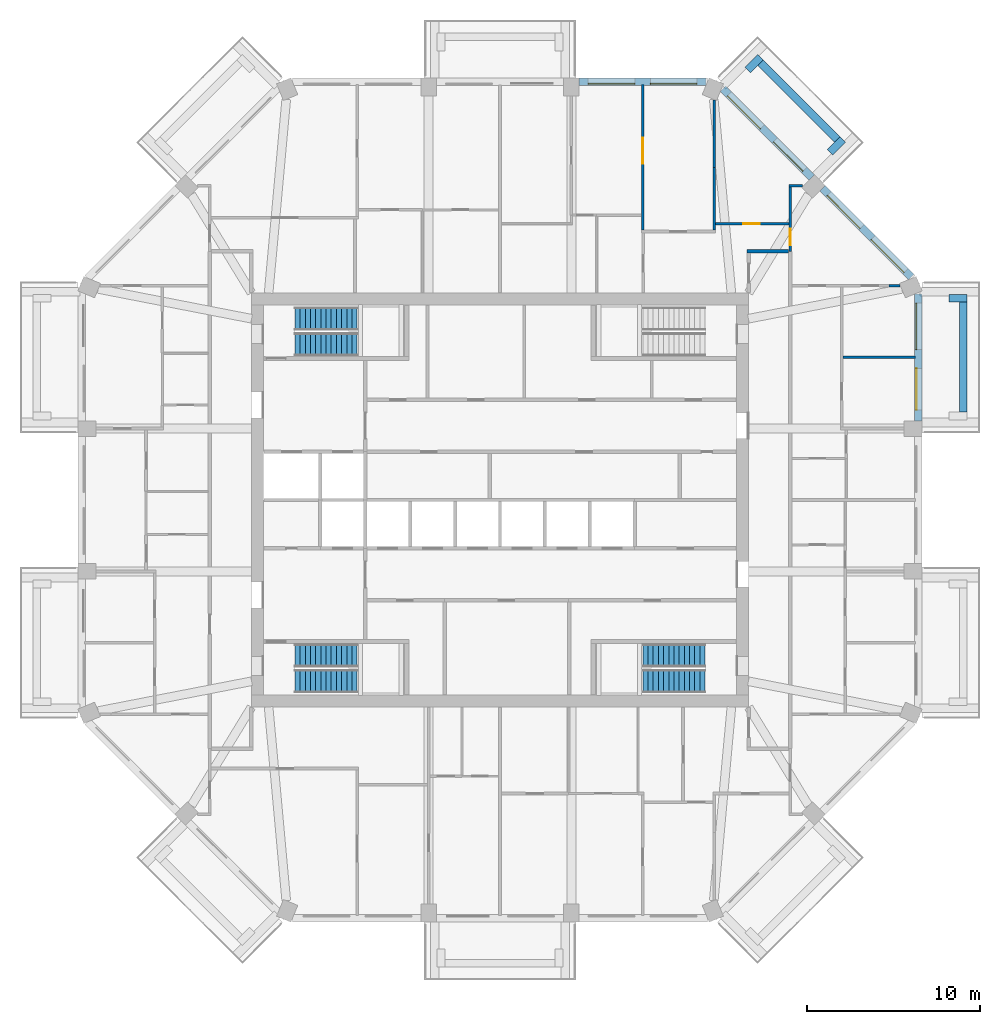
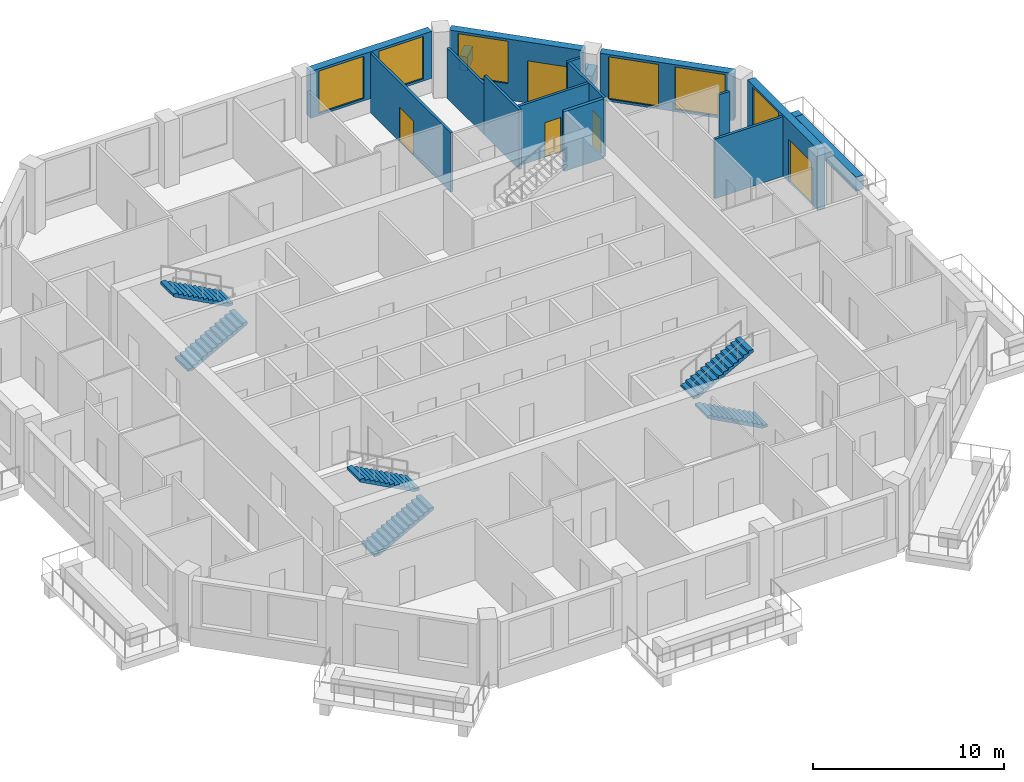
# One storey, part 9 of 12: 18 walls, 6 stair flights, 6 windows, 5 doors, 11 openings, 3 elements without a shape of their own.
"""IFC4 building model written with IfcOpenShell, lengths in metres."""

from ifc_helpers import new_model, si_unit, direction, frame, frame_2d, origin, place, context, subcontext, project, spatial, polyline, rectangle, outline, extrude, material, layer, layer_set, type_object, element, fill, aggregate, save


model = new_model("IFC4")

# Units and contexts
model_context = context("Model", 3, precision=1e-05, world=origin(), true_north=direction((0.0, 1.0)))
body_context = subcontext(model_context, "Body", "Model", "MODEL_VIEW")
ifc_project = project(units=[si_unit("LENGTHUNIT", "METRE"), si_unit("AREAUNIT", "SQUARE_METRE"), si_unit("VOLUMEUNIT", "CUBIC_METRE"), si_unit("PLANEANGLEUNIT", "RADIAN"), si_unit("MASSUNIT", "GRAM", prefix="KILO")], contexts=[model_context])

# Site, building, storey
site_placement = place(None, origin())
site = spatial("IfcSite", under=ifc_project, at=site_placement, CompositionType="ELEMENT")
building_placement = place(site_placement, origin())
building = spatial("IfcBuilding", under=site, at=building_placement, Name="Msitu Wima Residences", CompositionType="ELEMENT")
storey_placement = place(building_placement, frame((0.0, 0.0, 200.10009765625)))
storey = spatial("IfcBuildingStorey", under=building, at=storey_placement, Name="L46", CompositionType="ELEMENT", Elevation=200.10009765625)

# Walls
ifc_material_1 = material(Name="Facing brick")
ifc_layer_1 = layer(ifc_material_1, 0.06494140625, Name="Facing brick")
ifc_material_2 = material(Name="Concrete C40/50", Category="concrete")
ifc_layer_2 = layer(ifc_material_2, 0.156005859375, Name="Concrete C40/50")
ifc_material_3 = material(Name="Waterproofing membrane")
ifc_layer_3 = layer(ifc_material_3, 0.00390625, Name="Waterproofing membrane")
ifc_material_4 = material(Name="Planting soil and planting")
ifc_layer_4 = layer(ifc_material_4, 0.22509765625, Name="Planting soil and planting")
ifc_layer_set_1 = layer_set([ifc_layer_1, ifc_layer_2, ifc_layer_3, ifc_layer_4], Name="Concrete C40/50")
wall_type_1 = type_object("IfcWallType", Name="Balcony planter PLANTER PL450", PredefinedType="USERDEFINED", material=ifc_layer_set_1)
wall_1_placement = place(storey_placement, frame((26.824951171875, 5.087158203125, 0.0), z_axis=(0.0, 0.0, 1.0), x_axis=(0.0, 1.0, 0.0)))
element("IfcWall", 1, at=wall_1_placement, inside=storey, type_object=wall_type_1, Name="Balcony planter E2 L46", ObjectType="PLANTER", PredefinedType="USERDEFINED", context=body_context, shape_type="SweptSolid", body=[
    extrude(rectangle(XDim=6.37451171875, YDim=0.449951171875, at=frame_2d((3.187255859375, 0.0))), origin(), (0.0, 0.0, 1.0), 0.89990234375),
])
wall_2_placement = place(storey_placement, frame((26.0, 11.686767578125, 0.0), z_axis=(0.0, 0.0, 1.0), x_axis=(1.0, 0.0, 0.0)))
element("IfcWall", 2, at=wall_2_placement, inside=storey, type_object=wall_type_1, Name="Balcony planter E2 L46", ObjectType="PLANTER", PredefinedType="USERDEFINED", context=body_context, shape_type="SweptSolid", body=[
    extrude(rectangle(XDim=1.050048828125, YDim=0.449951171875, at=frame_2d((0.52490234375, 0.0))), origin(), (0.0, 0.0, 1.0), 0.89990234375),
])
wall_3_placement = place(storey_placement, frame((19.53173828125, 20.875244140625, 0.0), z_axis=(0.0, 0.0, 1.0), x_axis=(-0.707106781187, 0.707106781187, 0.0)))
element("IfcWall", 3, at=wall_3_placement, inside=storey, type_object=wall_type_1, Name="Balcony planter NE1 L46", ObjectType="PLANTER", PredefinedType="USERDEFINED", context=body_context, shape_type="SweptSolid", body=[
    extrude(rectangle(XDim=6.294189453125, YDim=0.449951171875, at=frame_2d((3.14697265625, 0.0))), origin(), (0.0, 0.0, 1.0), 0.89990234375),
])
for number, where, z_axis, x_axis, name in (
    (4, (19.107421875, 20.1328125, 0.0), (0.0, 0.0, 1.0), (0.707106781187, 0.707106781187, 0.0), "Balcony planter NE1 L46"),
    (5, (14.338623046875, 24.901611328125, 0.0), (0.0, 0.0, 1.0), (0.707106781187, 0.707106781187, 0.0), "Balcony planter NE1 L46"),
):
    element("IfcWall", number, at=place(storey_placement, frame(where, z_axis=z_axis, x_axis=x_axis)), inside=storey, type_object=wall_type_1, Name=name, ObjectType="PLANTER", PredefinedType="USERDEFINED", context=body_context, shape_type="SweptSolid", body=[
        extrude(rectangle(XDim=1.050048828125, YDim=0.449951171875, at=frame_2d((0.52490234375, 0.0))), origin(), (0.0, 0.0, 1.0), 0.89990234375),
    ])

# Wall, openings, door, window
ifc_material_5 = material(Name="Brick (red buff mix)", Category="masonry")
ifc_layer_5 = layer(ifc_material_5, 0.449951171875)
ifc_layer_set_2 = layer_set([ifc_layer_5], Name="Brick (red buff mix)")
wall_type_2 = type_object("IfcWallType", Name="Brick infill wall BW450", PredefinedType="SOLIDWALL", material=ifc_layer_set_2)
wall_4_placement = place(storey_placement, frame((24.22509765625, 4.587158203125, 0.0), z_axis=(0.0, 0.0, 1.0), x_axis=(0.0, 1.0, 0.0)))
wall_4 = element("IfcWall", 6, at=wall_4_placement, inside=storey, type_object=wall_type_2, Name="Brick infill wall L46 E2", PredefinedType="SOLIDWALL", context=body_context, shape_type="SweptSolid", body=[
    extrude(rectangle(XDim=7.337646484375, YDim=0.449951171875, at=frame_2d((3.6689453125, 0.0))), origin(), (0.0, 0.0, 1.0), 3.89990234375),
])
opening_1_placement = place(wall_4_placement, frame((0.63427734375, 0.0, 0.0)))
opening_1 = element("IfcOpeningElement", 7, at=opening_1_placement, cuts=wall_4, Name="Opening D46.002", PredefinedType="OPENING", context=body_context, shape_type="SweptSolid", body=[
    extrude(rectangle(XDim=2.39990234375, YDim=2.699951171875, at=frame_2d((1.199951171875, 1.35009765625))), frame((0.0, 0.23486328125, 0.0), z_axis=(0.0, -1.0, 0.0), x_axis=(1.0, 0.0, 0.0)), (0.0, 0.0, 1.0), 0.469970703125),
])
opening_2_placement = place(wall_4_placement, frame((4.11865234375, 0.0, 1.050048828125)))
opening_2 = element("IfcOpeningElement", 8, at=opening_2_placement, cuts=wall_4, Name="Opening W46.004", PredefinedType="OPENING", context=body_context, shape_type="SweptSolid", body=[
    extrude(rectangle(XDim=2.699951171875, YDim=2.699951171875, at=frame_2d((1.35009765625, 1.35009765625))), frame((0.0, 0.23486328125, 0.0), z_axis=(0.0, -1.0, 0.0), x_axis=(1.0, 0.0, 0.0)), (0.0, 0.0, 1.0), 0.469970703125),
])
ifc_material_6 = material(Name="Anodised aluminium, bronze finish, clear low-emissivity double glazing", Category="aluminium")
door_type_1 = type_object("IfcDoorType", Name="Balcony door D2400x2700", OperationType="SLIDING_TO_LEFT", PredefinedType="DOOR", material=ifc_material_6)
door_1_placement = place(opening_1_placement, origin())
door_1 = element("IfcDoor", 9, at=door_1_placement, inside=storey, type_object=door_type_1, Name="Balcony door L46 E2", OperationType="SINGLE_SWING_LEFT", OverallHeight=2.699951171875, OverallWidth=2.39990234375, PredefinedType="DOOR", context=body_context, shape_type="SweptSolid", body=[
    extrude(rectangle(XDim=2.39990234375, YDim=2.699951171875, at=frame_2d((1.199951171875, 1.35009765625))), frame((0.0, 0.1298828125, 0.0), z_axis=(0.0, -1.0, 0.0), x_axis=(1.0, 0.0, 0.0)), (0.0, 0.0, 1.0), 0.050048828125),
])
fill(opening_1, door_1)
window_type = type_object("IfcWindowType", Name="Window W2700x2700", PartitioningType="DOUBLE_PANEL_VERTICAL", PredefinedType="WINDOW", material=ifc_material_6)
window_1_placement = place(opening_2_placement, origin())
window_1 = element("IfcWindow", 10, at=window_1_placement, inside=storey, type_object=window_type, Name="Window L46 E2.2", OverallHeight=2.699951171875, OverallWidth=2.699951171875, PartitioningType="SINGLE_PANEL", PredefinedType="WINDOW", context=body_context, shape_type="SweptSolid", body=[
    extrude(rectangle(XDim=2.699951171875, YDim=2.699951171875, at=frame_2d((1.35009765625, 1.35009765625))), frame((0.0, 0.135009765625, 0.0), z_axis=(0.0, -1.0, 0.0), x_axis=(1.0, 0.0, 0.0)), (0.0, 0.0, 1.0), 0.06005859375),
])
fill(opening_2, window_1)

# Wall, openings, windows
wall_5_placement = place(storey_placement, frame((23.814697265625, 12.915283203125, 0.89990234375), z_axis=(0.0, 0.0, 1.0), x_axis=(-0.707106781187, 0.707106781187, 0.0)))
wall_5 = element("IfcWall", 11, at=wall_5_placement, inside=storey, type_object=wall_type_2, Name="Brick infill wall L46 NE0", PredefinedType="SOLIDWALL", context=body_context, shape_type="SweptSolid", body=[
    extrude(rectangle(XDim=7.257080078125, YDim=0.449951171875, at=frame_2d((3.62841796875, 0.0))), origin(), (0.0, 0.0, 1.0), 3.0),
])
opening_3_placement = place(wall_5_placement, frame((0.478515625, 0.0, 0.14990234375)))
opening_3 = element("IfcOpeningElement", 12, at=opening_3_placement, cuts=wall_5, Name="Opening W46.010", PredefinedType="OPENING", context=body_context, shape_type="SweptSolid", body=[
    extrude(rectangle(XDim=2.699951171875, YDim=2.699951171875, at=frame_2d((1.35009765625, 1.35009765625))), frame((0.0, 0.23486328125, 0.0), z_axis=(0.0, -1.0, 0.0), x_axis=(1.0, 0.0, 0.0)), (0.0, 0.0, 1.0), 0.469970703125),
])
opening_4_placement = place(wall_5_placement, frame((4.07861328125, 0.0, 0.14990234375)))
opening_4 = element("IfcOpeningElement", 13, at=opening_4_placement, cuts=wall_5, Name="Opening W46.011", PredefinedType="OPENING", context=body_context, shape_type="SweptSolid", body=[
    extrude(rectangle(XDim=2.699951171875, YDim=2.699951171875, at=frame_2d((1.35009765625, 1.35009765625))), frame((0.0, 0.23486328125, 0.0), z_axis=(0.0, -1.0, 0.0), x_axis=(1.0, 0.0, 0.0)), (0.0, 0.0, 1.0), 0.469970703125),
])
window_2_placement = place(opening_3_placement, origin())
window_2 = element("IfcWindow", 14, at=window_2_placement, inside=storey, type_object=window_type, Name="Window L46 NE0.1", OverallHeight=2.699951171875, OverallWidth=2.699951171875, PartitioningType="SINGLE_PANEL", PredefinedType="WINDOW", context=body_context, shape_type="SweptSolid", body=[
    extrude(rectangle(XDim=2.699951171875, YDim=2.699951171875, at=frame_2d((1.35009765625, 1.35009765625))), frame((0.0, 0.135009765625, 0.0), z_axis=(0.0, -1.0, 0.0), x_axis=(1.0, 0.0, 0.0)), (0.0, 0.0, 1.0), 0.06005859375),
])
fill(opening_3, window_2)
window_3_placement = place(opening_4_placement, origin())
window_3 = element("IfcWindow", 15, at=window_3_placement, inside=storey, type_object=window_type, Name="Window L46 NE0.2", OverallHeight=2.699951171875, OverallWidth=2.699951171875, PartitioningType="SINGLE_PANEL", PredefinedType="WINDOW", context=body_context, shape_type="SweptSolid", body=[
    extrude(rectangle(XDim=2.699951171875, YDim=2.699951171875, at=frame_2d((1.35009765625, 1.35009765625))), frame((0.0, 0.135009765625, 0.0), z_axis=(0.0, -1.0, 0.0), x_axis=(1.0, 0.0, 0.0)), (0.0, 0.0, 1.0), 0.06005859375),
])
fill(opening_4, window_3)

# Wall, openings, door, window
wall_6_placement = place(storey_placement, frame((18.046875, 18.68310546875, 0.0), z_axis=(0.0, 0.0, 1.0), x_axis=(-0.707106781187, 0.707106781187, 0.0)))
wall_6 = element("IfcWall", 16, at=wall_6_placement, inside=storey, type_object=wall_type_2, Name="Brick infill wall L46 NE1", PredefinedType="SOLIDWALL", context=body_context, shape_type="SweptSolid", body=[
    extrude(rectangle(XDim=7.257080078125, YDim=0.449951171875, at=frame_2d((3.62841796875, 0.0))), origin(), (0.0, 0.0, 1.0), 3.89990234375),
])
opening_5_placement = place(wall_6_placement, frame((0.6142578125, 0.0, 0.0)))
opening_5 = element("IfcOpeningElement", 17, at=opening_5_placement, cuts=wall_6, Name="Opening D46.004", PredefinedType="OPENING", context=body_context, shape_type="SweptSolid", body=[
    extrude(rectangle(XDim=2.39990234375, YDim=2.699951171875, at=frame_2d((1.199951171875, 1.35009765625))), frame((0.0, 0.23486328125, 0.0), z_axis=(0.0, -1.0, 0.0), x_axis=(1.0, 0.0, 0.0)), (0.0, 0.0, 1.0), 0.469970703125),
])
opening_6_placement = place(wall_6_placement, frame((4.07861328125, 0.0, 1.050048828125)))
opening_6 = element("IfcOpeningElement", 18, at=opening_6_placement, cuts=wall_6, Name="Opening W46.012", PredefinedType="OPENING", context=body_context, shape_type="SweptSolid", body=[
    extrude(rectangle(XDim=2.699951171875, YDim=2.699951171875, at=frame_2d((1.35009765625, 1.35009765625))), frame((0.0, 0.23486328125, 0.0), z_axis=(0.0, -1.0, 0.0), x_axis=(1.0, 0.0, 0.0)), (0.0, 0.0, 1.0), 0.469970703125),
])
door_2_placement = place(opening_5_placement, origin())
door_2 = element("IfcDoor", 19, at=door_2_placement, inside=storey, type_object=door_type_1, Name="Balcony door L46 NE1", OperationType="SINGLE_SWING_LEFT", OverallHeight=2.699951171875, OverallWidth=2.39990234375, PredefinedType="DOOR", context=body_context, shape_type="SweptSolid", body=[
    extrude(rectangle(XDim=2.39990234375, YDim=2.699951171875, at=frame_2d((1.199951171875, 1.35009765625))), frame((0.0, 0.1298828125, 0.0), z_axis=(0.0, -1.0, 0.0), x_axis=(1.0, 0.0, 0.0)), (0.0, 0.0, 1.0), 0.050048828125),
])
fill(opening_5, door_2)
window_4_placement = place(opening_6_placement, origin())
window_4 = element("IfcWindow", 20, at=window_4_placement, inside=storey, type_object=window_type, Name="Window L46 NE1.2", OverallHeight=2.699951171875, OverallWidth=2.699951171875, PartitioningType="SINGLE_PANEL", PredefinedType="WINDOW", context=body_context, shape_type="SweptSolid", body=[
    extrude(rectangle(XDim=2.699951171875, YDim=2.699951171875, at=frame_2d((1.35009765625, 1.35009765625))), frame((0.0, 0.135009765625, 0.0), z_axis=(0.0, -1.0, 0.0), x_axis=(1.0, 0.0, 0.0)), (0.0, 0.0, 1.0), 0.06005859375),
])
fill(opening_6, window_4)

# Wall, openings, windows
wall_7_placement = place(storey_placement, frame((11.9248046875, 24.22509765625, 0.89990234375), z_axis=(0.0, 0.0, 1.0), x_axis=(-1.0, 0.0, 0.0)))
wall_7 = element("IfcWall", 21, at=wall_7_placement, inside=storey, type_object=wall_type_2, Name="Brick infill wall L46 N0", PredefinedType="SOLIDWALL", context=body_context, shape_type="SweptSolid", body=[
    extrude(rectangle(XDim=7.337646484375, YDim=0.449951171875, at=frame_2d((3.6689453125, 0.0))), origin(), (0.0, 0.0, 1.0), 3.0),
])
opening_7_placement = place(wall_7_placement, frame((0.518798828125, 0.0, 0.14990234375)))
opening_7 = element("IfcOpeningElement", 22, at=opening_7_placement, cuts=wall_7, Name="Opening W46.005", PredefinedType="OPENING", context=body_context, shape_type="SweptSolid", body=[
    extrude(rectangle(XDim=2.699951171875, YDim=2.699951171875, at=frame_2d((1.35009765625, 1.35009765625))), frame((0.0, 0.23486328125, 0.0), z_axis=(0.0, -1.0, 0.0), x_axis=(1.0, 0.0, 0.0)), (0.0, 0.0, 1.0), 0.469970703125),
])
opening_8_placement = place(wall_7_placement, frame((4.11865234375, 0.0, 0.14990234375)))
opening_8 = element("IfcOpeningElement", 23, at=opening_8_placement, cuts=wall_7, Name="Opening W46.006", PredefinedType="OPENING", context=body_context, shape_type="SweptSolid", body=[
    extrude(rectangle(XDim=2.699951171875, YDim=2.699951171875, at=frame_2d((1.35009765625, 1.35009765625))), frame((0.0, 0.23486328125, 0.0), z_axis=(0.0, -1.0, 0.0), x_axis=(1.0, 0.0, 0.0)), (0.0, 0.0, 1.0), 0.469970703125),
])
window_5_placement = place(opening_7_placement, origin())
window_5 = element("IfcWindow", 24, at=window_5_placement, inside=storey, type_object=window_type, Name="Window L46 N0.1", OverallHeight=2.699951171875, OverallWidth=2.699951171875, PartitioningType="SINGLE_PANEL", PredefinedType="WINDOW", context=body_context, shape_type="SweptSolid", body=[
    extrude(rectangle(XDim=2.699951171875, YDim=2.699951171875, at=frame_2d((1.35009765625, 1.35009765625))), frame((0.0, 0.135009765625, 0.0), z_axis=(0.0, -1.0, 0.0), x_axis=(1.0, 0.0, 0.0)), (0.0, 0.0, 1.0), 0.06005859375),
])
fill(opening_7, window_5)
window_6_placement = place(opening_8_placement, origin())
window_6 = element("IfcWindow", 25, at=window_6_placement, inside=storey, type_object=window_type, Name="Window L46 N0.2", OverallHeight=2.699951171875, OverallWidth=2.699951171875, PartitioningType="SINGLE_PANEL", PredefinedType="WINDOW", context=body_context, shape_type="SweptSolid", body=[
    extrude(rectangle(XDim=2.699951171875, YDim=2.699951171875, at=frame_2d((1.35009765625, 1.35009765625))), frame((0.0, 0.135009765625, 0.0), z_axis=(0.0, -1.0, 0.0), x_axis=(1.0, 0.0, 0.0)), (0.0, 0.0, 1.0), 0.06005859375),
])
fill(opening_8, window_6)

# Wall
ifc_material_7 = material(Name="Plaster")
ifc_layer_6 = layer(ifc_material_7, 0.011962890625, Name="Plaster")
ifc_material_8 = material(Name="Concrete blockwork", Category="masonry")
ifc_layer_7 = layer(ifc_material_8, 0.176025390625, Name="Concrete blockwork")
ifc_layer_8 = layer(ifc_material_7, 0.011962890625, Name="Plaster")
ifc_layer_set_3 = layer_set([ifc_layer_6, ifc_layer_7, ifc_layer_8], Name="Concrete blockwork")
wall_type_3 = type_object("IfcWallType", Name="Corridor wall FW200", PredefinedType="PARTITIONING", material=ifc_layer_set_3)
wall_8_placement = place(storey_placement, frame((14.300048828125, 14.39990234375, 0.0), z_axis=(0.0, 0.0, 1.0), x_axis=(1.0, 0.0, 0.0)))
element("IfcWall", 26, at=wall_8_placement, inside=storey, type_object=wall_type_3, Name="Corridor wall", PredefinedType="PARTITIONING", context=body_context, shape_type="SweptSolid", body=[
    extrude(rectangle(XDim=2.39990234375, YDim=0.199951171875, at=frame_2d((1.199951171875, 0.0))), origin(), (0.0, 0.0, 1.0), 3.7978515625),
])

# Wall, opening, door
ifc_layer_9 = layer(ifc_material_7, 0.011962890625, Name="Plaster")
ifc_layer_10 = layer(ifc_material_8, 0.1259765625, Name="Concrete blockwork")
ifc_layer_11 = layer(ifc_material_7, 0.011962890625, Name="Plaster")
ifc_layer_set_4 = layer_set([ifc_layer_9, ifc_layer_10, ifc_layer_11], Name="Concrete blockwork")
wall_type_4 = type_object("IfcWallType", Name="Partition PW150", PredefinedType="PARTITIONING", material=ifc_layer_set_4)
wall_9_placement = place(storey_placement, frame((8.2744140625, 15.625, 0.0), z_axis=(0.0, 0.0, 1.0), x_axis=(0.0, 1.0, 0.0)))
wall_9 = element("IfcWall", 27, at=wall_9_placement, inside=storey, type_object=wall_type_4, Name="Partition", PredefinedType="PARTITIONING", context=body_context, shape_type="SweptSolid", body=[
    extrude(rectangle(XDim=8.429931640625, YDim=0.14990234375, at=frame_2d((4.21484375, 0.0))), origin(), (0.0, 0.0, 1.0), 3.7978515625),
])
opening_9_placement = place(wall_9_placement, frame((3.85009765625, 0.0, 0.0)))
opening_9 = element("IfcOpeningElement", 28, at=opening_9_placement, cuts=wall_9, Name="Opening D46.019", PredefinedType="OPENING", context=body_context, shape_type="SweptSolid", body=[
    extrude(rectangle(XDim=1.5, YDim=2.199951171875, at=frame_2d((0.75, 1.10009765625))), frame((0.0, 0.0849609375, 0.0), z_axis=(0.0, -1.0, 0.0), x_axis=(1.0, 0.0, 0.0)), (0.0, 0.0, 1.0), 0.169921875),
])
ifc_material_9 = material(Name="Timber double door", Category="wood")
door_type_2 = type_object("IfcDoorType", Name="Double door D04 1500x2200", OperationType="DOUBLE_DOOR_SINGLE_SWING", PredefinedType="DOOR", material=ifc_material_9)
door_3_placement = place(opening_9_placement, origin())
door_3 = element("IfcDoor", 29, at=door_3_placement, inside=storey, type_object=door_type_2, Name="Double door", OperationType="DOUBLE_DOOR_SINGLE_SWING", OverallHeight=2.199951171875, OverallWidth=1.5, PredefinedType="DOOR", context=body_context, shape_type="SweptSolid", body=[
    extrude(rectangle(XDim=1.5, YDim=2.199951171875, at=frame_2d((0.75, 1.10009765625))), frame((0.0, 0.02490234375, 0.0), z_axis=(0.0, -1.0, 0.0), x_axis=(1.0, 0.0, 0.0)), (0.0, 0.0, 1.0), 0.050048828125),
])
fill(opening_9, door_3)

# Walls
wall_10_placement = place(storey_placement, frame((12.411865234375, 15.625, 0.0), z_axis=(0.0, 0.0, 1.0), x_axis=(0.0, 1.0, 0.0)))
element("IfcWall", 30, at=wall_10_placement, inside=storey, type_object=wall_type_4, Name="Partition", PredefinedType="PARTITIONING", context=body_context, shape_type="SweptSolid", body=[
    extrude(rectangle(XDim=3.6455078125, YDim=0.14990234375, at=frame_2d((1.82275390625, 0.0))), origin(), (0.0, 0.0, 1.0), 3.7978515625),
])
wall_11_placement = place(storey_placement, frame((12.411865234375, 19.2705078125, 0.0), z_axis=(0.0, 0.0, 1.0), x_axis=(0.0, 1.0, 0.0)))
element("IfcWall", 31, at=wall_11_placement, inside=storey, type_object=wall_type_4, Name="Partition", PredefinedType="PARTITIONING", context=body_context, shape_type="SweptSolid", body=[
    extrude(rectangle(XDim=3.8984375, YDim=0.14990234375, at=frame_2d((1.94921875, 0.0))), origin(), (0.0, 0.0, 1.0), 3.199951171875),
])

# Wall, opening, door
wall_12_placement = place(storey_placement, frame((12.48681640625, 16.0, 0.0), z_axis=(0.0, 0.0, 1.0), x_axis=(1.0, 0.0, 0.0)))
wall_12 = element("IfcWall", 32, at=wall_12_placement, inside=storey, type_object=wall_type_4, Name="Partition", PredefinedType="PARTITIONING", context=body_context, shape_type="SweptSolid", body=[
    extrude(rectangle(XDim=4.23828125, YDim=0.14990234375, at=frame_2d((2.119140625, 0.0))), origin(), (0.0, 0.0, 1.0), 3.7978515625),
])
opening_10_placement = place(wall_12_placement, frame((1.60009765625, 0.0, 0.0)))
opening_10 = element("IfcOpeningElement", 33, at=opening_10_placement, cuts=wall_12, Name="Opening D46.017", PredefinedType="OPENING", context=body_context, shape_type="SweptSolid", body=[
    extrude(rectangle(XDim=0.949951171875, YDim=2.199951171875, at=frame_2d((0.47509765625, 1.10009765625))), frame((0.0, 0.0849609375, 0.0), z_axis=(0.0, -1.0, 0.0), x_axis=(1.0, 0.0, 0.0)), (0.0, 0.0, 1.0), 0.169921875),
])
ifc_material_10 = material(Name="Timber flush door", Category="wood")
door_type_3 = type_object("IfcDoorType", Name="Room door D12 950x2200", OperationType="SINGLE_SWING_LEFT", PredefinedType="DOOR", material=ifc_material_10)
door_4_placement = place(opening_10_placement, origin())
door_4 = element("IfcDoor", 34, at=door_4_placement, inside=storey, type_object=door_type_3, Name="Room door", OperationType="SINGLE_SWING_LEFT", OverallHeight=2.199951171875, OverallWidth=0.949951171875, PredefinedType="DOOR", context=body_context, shape_type="SweptSolid", body=[
    extrude(rectangle(XDim=0.949951171875, YDim=2.199951171875, at=frame_2d((0.47509765625, 1.10009765625))), frame((0.0, 0.02490234375, 0.0), z_axis=(0.0, -1.0, 0.0), x_axis=(1.0, 0.0, 0.0)), (0.0, 0.0, 1.0), 0.050048828125),
])
fill(opening_10, door_4)

# Wall
wall_13_placement = place(storey_placement, frame((22.529296875, 12.409912109375, 0.0), z_axis=(0.0, 0.0, 1.0), x_axis=(1.0, 0.0, 0.0)))
element("IfcWall", 35, at=wall_13_placement, inside=storey, type_object=wall_type_4, Name="Partition", PredefinedType="PARTITIONING", context=body_context, shape_type="SweptSolid", body=[
    extrude(rectangle(XDim=0.640380859375, YDim=0.14990234375, at=frame_2d((0.3203125, 0.0))), origin(), (0.0, 0.0, 1.0), 3.199951171875),
])

# Wall, opening, door
wall_14_placement = place(storey_placement, frame((16.800048828125, 14.39990234375, 0.0), z_axis=(0.0, 0.0, 1.0), x_axis=(0.0, 1.0, 0.0)))
wall_14 = element("IfcWall", 36, at=wall_14_placement, inside=storey, type_object=wall_type_4, Name="Partition", PredefinedType="PARTITIONING", context=body_context, shape_type="SweptSolid", body=[
    extrude(rectangle(XDim=3.73095703125, YDim=0.14990234375, at=frame_2d((1.865478515625, 0.0))), origin(), (0.0, 0.0, 1.0), 3.7978515625),
])
opening_11_placement = place(wall_14_placement, frame((0.35009765625, 0.0, 0.0)))
opening_11 = element("IfcOpeningElement", 37, at=opening_11_placement, cuts=wall_14, Name="Opening D46.018", PredefinedType="OPENING", context=body_context, shape_type="SweptSolid", body=[
    extrude(rectangle(XDim=0.949951171875, YDim=2.199951171875, at=frame_2d((0.47509765625, 1.10009765625))), frame((0.0, 0.0849609375, 0.0), z_axis=(0.0, -1.0, 0.0), x_axis=(1.0, 0.0, 0.0)), (0.0, 0.0, 1.0), 0.169921875),
])
door_5_placement = place(opening_11_placement, origin())
door_5 = element("IfcDoor", 38, at=door_5_placement, inside=storey, type_object=door_type_3, Name="Room door", OperationType="SINGLE_SWING_RIGHT", OverallHeight=2.199951171875, OverallWidth=0.949951171875, PredefinedType="DOOR", context=body_context, shape_type="SweptSolid", body=[
    extrude(rectangle(XDim=0.949951171875, YDim=2.199951171875, at=frame_2d((0.47509765625, 1.10009765625))), frame((0.0, 0.02490234375, 0.0), z_axis=(0.0, -1.0, 0.0), x_axis=(1.0, 0.0, 0.0)), (0.0, 0.0, 1.0), 0.050048828125),
])
fill(opening_11, door_5)

# Walls
wall_15_placement = place(storey_placement, frame((16.72509765625, 18.205810546875, 0.0), z_axis=(0.0, 0.0, 1.0), x_axis=(1.0, 0.0, 0.0)))
element("IfcWall", 39, at=wall_15_placement, inside=storey, type_object=wall_type_4, Name="Partition", PredefinedType="PARTITIONING", context=body_context, shape_type="SweptSolid", body=[
    extrude(rectangle(XDim=0.784423828125, YDim=0.14990234375, at=frame_2d((0.39208984375, 0.0))), origin(), (0.0, 0.0, 1.0), 3.7978515625),
])
wall_16_placement = place(storey_placement, frame((19.875, 8.2744140625, 0.0), z_axis=(0.0, 0.0, 1.0), x_axis=(1.0, 0.0, 0.0)))
element("IfcWall", 40, at=wall_16_placement, inside=storey, type_object=wall_type_4, Name="Partition", PredefinedType="PARTITIONING", context=body_context, shape_type="SweptSolid", body=[
    extrude(rectangle(XDim=4.179931640625, YDim=0.14990234375, at=frame_2d((2.08984375, 0.0))), origin(), (0.0, 0.0, 1.0), 3.7978515625),
])

# Stair, stair flights
stair_type = type_object("IfcStairType", Name="Exit stair ES1615-135", PredefinedType="HALF_TURN_STAIR", material=ifc_material_2)
stair_1_placement = place(storey_placement, origin())
stair_1 = element("IfcStair", 41, at=stair_1_placement, inside=storey, type_object=stair_type, Name="Exit stair 1", PredefinedType="HALF_TURN_STAIR")
stair_flight_type = type_object("IfcStairFlightType", Name="Exit stair flight ES1615-135", PredefinedType="STRAIGHT", material=ifc_material_2)
stair_flight_1_placement = place(storey_placement, frame((-11.875, 9.0, 0.0), z_axis=(0.0, 0.0, 1.0), x_axis=(1.0, 0.0, 0.0)))
stair_flight_1 = element("IfcStairFlight", 42, at=stair_flight_1_placement, type_object=stair_flight_type, Name="S1 flight 1", NumberOfRisers=13, NumberOfTreads=12, PredefinedType="STRAIGHT", RiserHeight=0.161538462, TreadLength=0.3, context=body_context, shape_type="SweptSolid", body=[
    extrude(outline(polyline([(0.0, 0.0), (0.0, 0.16162109375), (0.300048828125, 0.16162109375), (0.300048828125, 0.322998046875), (0.60009765625, 0.322998046875), (0.60009765625, 0.484619140625), (0.89990234375, 0.484619140625), (0.89990234375, 0.646240234375), (1.199951171875, 0.646240234375), (1.199951171875, 0.8076171875), (1.5, 0.8076171875), (1.5, 0.96923828125), (1.800048828125, 0.96923828125), (1.800048828125, 1.130859375), (2.10009765625, 1.130859375), (2.10009765625, 1.292236328125), (2.39990234375, 1.292236328125), (2.39990234375, 1.453857421875), (2.699951171875, 1.453857421875), (2.699951171875, 1.615478515625), (3.0, 1.615478515625), (3.0, 1.77685546875), (3.300048828125, 1.77685546875), (3.300048828125, 1.9384765625), (3.60009765625, 1.9384765625), (3.60009765625, 2.10009765625), (3.60009765625, 1.768310546875), (0.316162109375, 0.0), (0.0, 0.0)])), frame((0.0, 0.675048828125, 0.0), z_axis=(0.0, -1.0, 0.0), x_axis=(1.0, 0.0, 0.0)), (0.0, 0.0, 1.0), 1.35009765625),
])
stair_flight_2_placement = place(storey_placement, frame((-8.27490234375, 10.5, 2.099853515625), z_axis=(0.0, 0.0, 1.0), x_axis=(-1.0, 0.0, 0.0)))
stair_flight_2 = element("IfcStairFlight", 43, at=stair_flight_2_placement, type_object=stair_flight_type, Name="S1 flight 2", NumberOfRisers=13, NumberOfTreads=12, PredefinedType="STRAIGHT", RiserHeight=0.161538462, TreadLength=0.3, context=body_context, shape_type="SweptSolid", body=[
    extrude(outline(polyline([(0.0, 0.0), (0.0, 0.16162109375), (0.300048828125, 0.16162109375), (0.300048828125, 0.322998046875), (0.60009765625, 0.322998046875), (0.60009765625, 0.484619140625), (0.89990234375, 0.484619140625), (0.89990234375, 0.646240234375), (1.199951171875, 0.646240234375), (1.199951171875, 0.8076171875), (1.5, 0.8076171875), (1.5, 0.96923828125), (1.800048828125, 0.96923828125), (1.800048828125, 1.130859375), (2.10009765625, 1.130859375), (2.10009765625, 1.292236328125), (2.39990234375, 1.292236328125), (2.39990234375, 1.453857421875), (2.699951171875, 1.453857421875), (2.699951171875, 1.615478515625), (3.0, 1.615478515625), (3.0, 1.77685546875), (3.300048828125, 1.77685546875), (3.300048828125, 1.9384765625), (3.60009765625, 1.9384765625), (3.60009765625, 2.10009765625), (3.60009765625, 1.768310546875), (0.316162109375, 0.0), (0.0, 0.0)])), frame((0.0, 0.675048828125, 0.0), z_axis=(0.0, -1.0, 0.0), x_axis=(1.0, 0.0, 0.0)), (0.0, 0.0, 1.0), 1.35009765625),
])
aggregate(stair_1, [stair_flight_1, stair_flight_2])

stair_2_placement = place(storey_placement, origin())
stair_2 = element("IfcStair", 44, at=stair_2_placement, inside=storey, type_object=stair_type, Name="Exit stair 2", PredefinedType="HALF_TURN_STAIR")
stair_flight_3_placement = place(storey_placement, frame((-11.875, -10.5, 0.0), z_axis=(0.0, 0.0, 1.0), x_axis=(1.0, 0.0, 0.0)))
stair_flight_3 = element("IfcStairFlight", 45, at=stair_flight_3_placement, type_object=stair_flight_type, Name="S2 flight 1", NumberOfRisers=13, NumberOfTreads=12, PredefinedType="STRAIGHT", RiserHeight=0.161538462, TreadLength=0.3, context=body_context, shape_type="SweptSolid", body=[
    extrude(outline(polyline([(0.0, 0.0), (0.0, 0.16162109375), (0.300048828125, 0.16162109375), (0.300048828125, 0.322998046875), (0.60009765625, 0.322998046875), (0.60009765625, 0.484619140625), (0.89990234375, 0.484619140625), (0.89990234375, 0.646240234375), (1.199951171875, 0.646240234375), (1.199951171875, 0.8076171875), (1.5, 0.8076171875), (1.5, 0.96923828125), (1.800048828125, 0.96923828125), (1.800048828125, 1.130859375), (2.10009765625, 1.130859375), (2.10009765625, 1.292236328125), (2.39990234375, 1.292236328125), (2.39990234375, 1.453857421875), (2.699951171875, 1.453857421875), (2.699951171875, 1.615478515625), (3.0, 1.615478515625), (3.0, 1.77685546875), (3.300048828125, 1.77685546875), (3.300048828125, 1.9384765625), (3.60009765625, 1.9384765625), (3.60009765625, 2.10009765625), (3.60009765625, 1.768310546875), (0.316162109375, 0.0), (0.0, 0.0)])), frame((0.0, 0.675048828125, 0.0), z_axis=(0.0, -1.0, 0.0), x_axis=(1.0, 0.0, 0.0)), (0.0, 0.0, 1.0), 1.35009765625),
])
stair_flight_4_placement = place(storey_placement, frame((-8.27490234375, -9.0, 2.099853515625), z_axis=(0.0, 0.0, 1.0), x_axis=(-1.0, 0.0, 0.0)))
stair_flight_4 = element("IfcStairFlight", 46, at=stair_flight_4_placement, type_object=stair_flight_type, Name="S2 flight 2", NumberOfRisers=13, NumberOfTreads=12, PredefinedType="STRAIGHT", RiserHeight=0.161538462, TreadLength=0.3, context=body_context, shape_type="SweptSolid", body=[
    extrude(outline(polyline([(0.0, 0.0), (0.0, 0.16162109375), (0.300048828125, 0.16162109375), (0.300048828125, 0.322998046875), (0.60009765625, 0.322998046875), (0.60009765625, 0.484619140625), (0.89990234375, 0.484619140625), (0.89990234375, 0.646240234375), (1.199951171875, 0.646240234375), (1.199951171875, 0.8076171875), (1.5, 0.8076171875), (1.5, 0.96923828125), (1.800048828125, 0.96923828125), (1.800048828125, 1.130859375), (2.10009765625, 1.130859375), (2.10009765625, 1.292236328125), (2.39990234375, 1.292236328125), (2.39990234375, 1.453857421875), (2.699951171875, 1.453857421875), (2.699951171875, 1.615478515625), (3.0, 1.615478515625), (3.0, 1.77685546875), (3.300048828125, 1.77685546875), (3.300048828125, 1.9384765625), (3.60009765625, 1.9384765625), (3.60009765625, 2.10009765625), (3.60009765625, 1.768310546875), (0.316162109375, 0.0), (0.0, 0.0)])), frame((0.0, 0.675048828125, 0.0), z_axis=(0.0, -1.0, 0.0), x_axis=(1.0, 0.0, 0.0)), (0.0, 0.0, 1.0), 1.35009765625),
])
aggregate(stair_2, [stair_flight_3, stair_flight_4])

stair_3_placement = place(storey_placement, origin())
stair_3 = element("IfcStair", 47, at=stair_3_placement, inside=storey, type_object=stair_type, Name="Exit stair 4", PredefinedType="HALF_TURN_STAIR")
stair_flight_5_placement = place(storey_placement, frame((11.875, -10.5, 0.0), z_axis=(0.0, 0.0, 1.0), x_axis=(-1.0, 0.0, 0.0)))
stair_flight_5 = element("IfcStairFlight", 48, at=stair_flight_5_placement, type_object=stair_flight_type, Name="S4 flight 1", NumberOfRisers=13, NumberOfTreads=12, PredefinedType="STRAIGHT", RiserHeight=0.161538462, TreadLength=0.3, context=body_context, shape_type="SweptSolid", body=[
    extrude(outline(polyline([(0.0, 0.0), (0.0, 0.16162109375), (0.300048828125, 0.16162109375), (0.300048828125, 0.322998046875), (0.60009765625, 0.322998046875), (0.60009765625, 0.484619140625), (0.89990234375, 0.484619140625), (0.89990234375, 0.646240234375), (1.199951171875, 0.646240234375), (1.199951171875, 0.8076171875), (1.5, 0.8076171875), (1.5, 0.96923828125), (1.800048828125, 0.96923828125), (1.800048828125, 1.130859375), (2.10009765625, 1.130859375), (2.10009765625, 1.292236328125), (2.39990234375, 1.292236328125), (2.39990234375, 1.453857421875), (2.699951171875, 1.453857421875), (2.699951171875, 1.615478515625), (3.0, 1.615478515625), (3.0, 1.77685546875), (3.300048828125, 1.77685546875), (3.300048828125, 1.9384765625), (3.60009765625, 1.9384765625), (3.60009765625, 2.10009765625), (3.60009765625, 1.768310546875), (0.316162109375, 0.0), (0.0, 0.0)])), frame((0.0, 0.675048828125, 0.0), z_axis=(0.0, -1.0, 0.0), x_axis=(1.0, 0.0, 0.0)), (0.0, 0.0, 1.0), 1.35009765625),
])
stair_flight_6_placement = place(storey_placement, frame((8.27490234375, -9.0, 2.099853515625), z_axis=(0.0, 0.0, 1.0), x_axis=(1.0, 0.0, 0.0)))
stair_flight_6 = element("IfcStairFlight", 49, at=stair_flight_6_placement, type_object=stair_flight_type, Name="S4 flight 2", NumberOfRisers=13, NumberOfTreads=12, PredefinedType="STRAIGHT", RiserHeight=0.161538462, TreadLength=0.3, context=body_context, shape_type="SweptSolid", body=[
    extrude(outline(polyline([(0.0, 0.0), (0.0, 0.16162109375), (0.300048828125, 0.16162109375), (0.300048828125, 0.322998046875), (0.60009765625, 0.322998046875), (0.60009765625, 0.484619140625), (0.89990234375, 0.484619140625), (0.89990234375, 0.646240234375), (1.199951171875, 0.646240234375), (1.199951171875, 0.8076171875), (1.5, 0.8076171875), (1.5, 0.96923828125), (1.800048828125, 0.96923828125), (1.800048828125, 1.130859375), (2.10009765625, 1.130859375), (2.10009765625, 1.292236328125), (2.39990234375, 1.292236328125), (2.39990234375, 1.453857421875), (2.699951171875, 1.453857421875), (2.699951171875, 1.615478515625), (3.0, 1.615478515625), (3.0, 1.77685546875), (3.300048828125, 1.77685546875), (3.300048828125, 1.9384765625), (3.60009765625, 1.9384765625), (3.60009765625, 2.10009765625), (3.60009765625, 1.768310546875), (0.316162109375, 0.0), (0.0, 0.0)])), frame((0.0, 0.675048828125, 0.0), z_axis=(0.0, -1.0, 0.0), x_axis=(1.0, 0.0, 0.0)), (0.0, 0.0, 1.0), 1.35009765625),
])
aggregate(stair_3, [stair_flight_5, stair_flight_6])

save(model, "model.ifc")
